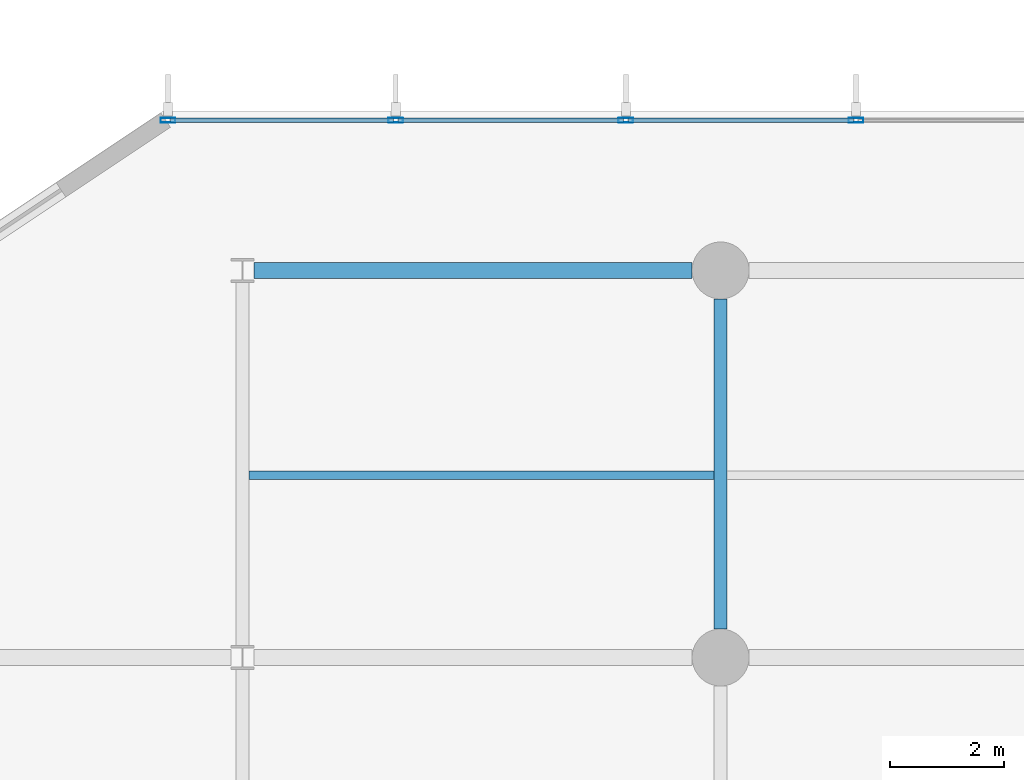
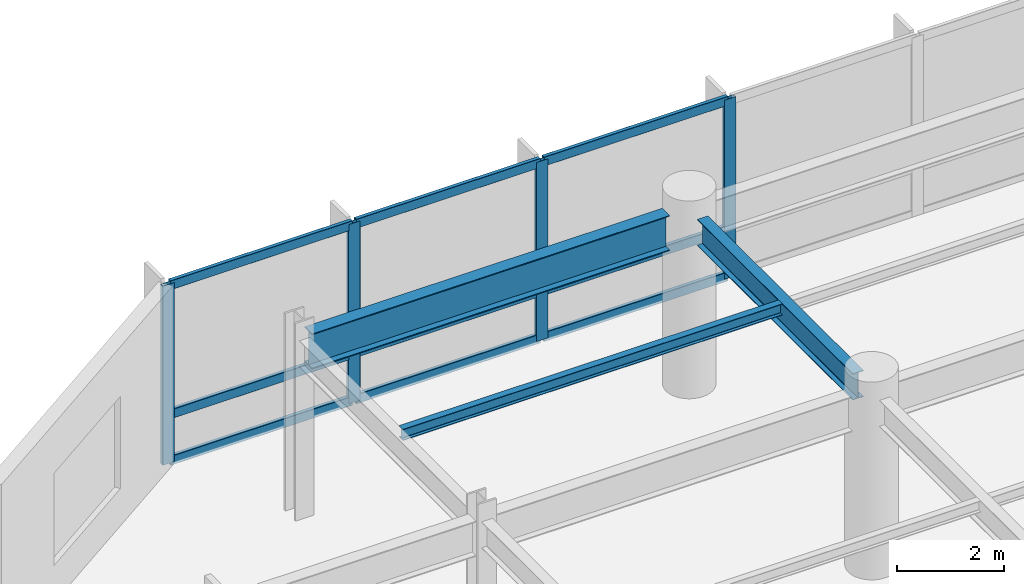
# One storey, part 5 of 23: 13 members, 3 beams, 1 element without a shape of its own.
"""IFC4 building model written with IfcOpenShell, lengths in metres."""

from ifc_helpers import new_model, si_unit, direction, frame, origin, origin_2d, place, context, subcontext, project, spatial, hollow_rectangle, i_section, extrude, material, layer, layer_set, material_profile, profile_set, type_object, element, aggregate, save


model = new_model("IFC4")

# Units and contexts
model_context = context("Model", 3, precision=1e-05, world=origin(), true_north=direction((0.0, 1.0)))
body_context = subcontext(model_context, "Body", "Model", "MODEL_VIEW")
ifc_project = project(units=[si_unit("LENGTHUNIT", "METRE"), si_unit("AREAUNIT", "SQUARE_METRE"), si_unit("VOLUMEUNIT", "CUBIC_METRE"), si_unit("PLANEANGLEUNIT", "RADIAN"), si_unit("MASSUNIT", "GRAM", prefix="KILO")], contexts=[model_context])

# Site, building, storey
site_placement = place(None, origin())
site = spatial("IfcSite", under=ifc_project, at=site_placement, CompositionType="ELEMENT")
building_placement = place(site_placement, origin())
building = spatial("IfcBuilding", under=site, at=building_placement, Name="Varnakote Quay Hospital", CompositionType="ELEMENT")
storey_placement = place(building_placement, frame((0.0, 0.0, 18.0)))
storey = spatial("IfcBuildingStorey", under=building, at=storey_placement, Name="L04", CompositionType="ELEMENT", Elevation=18.0)

# Beams
ifc_material_1 = material(Name="Structural steel AS/NZS 3679.1 Grade 350 L0 (fy 340 MPa)", Category="steel")
ifc_material_profile_1 = material_profile(ifc_material_1, i_section(OverallWidth=0.22802734375, OverallDepth=0.60205078125, WebThickness=0.010498046875, FlangeThickness=0.014892578125, FilletRadius=0.013916015625, at=origin_2d()), Name="610UB101")
ifc_profile_set_1 = profile_set([ifc_material_profile_1], Name="Structural steel AS/NZS 3679.1 Grade 350 L0 (fy 340 MPa)")
beam_type_1 = type_object("IfcBeamType", Name="BM-STL-610UB101", PredefinedType="BEAM", material=ifc_profile_set_1)
beam_1_placement = place(storey_placement, frame((58.800048828125, 37.699951171875, 3.779052734375), z_axis=(0.0, 1.0, 0.0), x_axis=(-1.0, 0.0, 0.0)))
element("IfcBeam", 1, at=beam_1_placement, inside=storey, type_object=beam_type_1, Name="L04 Primary Tie Beam", PredefinedType="BEAM", context=body_context, shape_type="SweptSolid", body=[
    extrude(i_section(OverallWidth=0.22802734375, OverallDepth=0.60205078125, WebThickness=0.010498046875, FlangeThickness=0.014892578125, FilletRadius=0.013916015625, at=origin_2d()), origin(), (0.0, 0.0, 1.0), 5.800048828125),
])
ifc_material_2 = material(Name="Structural steel AS/NZS 3678 Grade 350 (fy 340 MPa)", Category="steel")
ifc_material_profile_2 = material_profile(ifc_material_2, i_section(OverallWidth=0.27490234375, OverallDepth=0.800048828125, WebThickness=0.010009765625, FlangeThickness=0.02001953125, at=origin_2d()), Name="800WB146")
ifc_profile_set_2 = profile_set([ifc_material_profile_2], Name="Structural steel AS/NZS 3678 Grade 350 (fy 340 MPa)")
beam_type_2 = type_object("IfcBeamType", Name="BM-STL-800WB146", PredefinedType="BEAM", material=ifc_profile_set_2)
beam_2_placement = place(storey_placement, frame((50.60009765625, 44.0, 3.679931640625), z_axis=(1.0, 0.0, 0.0), x_axis=(0.0, 1.0, 0.0)))
element("IfcBeam", 2, at=beam_2_placement, inside=storey, type_object=beam_type_2, Name="L04 Plated Composite Transfer Beam", PredefinedType="BEAM", context=body_context, shape_type="SweptSolid", body=[
    extrude(i_section(OverallWidth=0.27490234375, OverallDepth=0.800048828125, WebThickness=0.010009765625, FlangeThickness=0.02001953125, at=origin_2d()), origin(), (0.0, 0.0, 1.0), 7.699951171875),
])

# Curtain wall, members
ifc_material_3 = material(Name="Anodised aluminium 6063-T6 Bronze", Category="aluminium")
ifc_layer = layer(ifc_material_3, 0.175048828125)
ifc_layer_set = layer_set([ifc_layer], Name="Anodised aluminium 6063-T6 Bronze")
curtain_wall_type = type_object("IfcCurtainWallType", Name="CW-SYS-1", PredefinedType="NOTDEFINED", material=ifc_layer_set)
curtain_wall_placement = place(storey_placement, origin())
curtain_wall = element("IfcCurtainWall", 3, at=curtain_wall_placement, inside=storey, type_object=curtain_wall_type, Name="L04 Unitised Bronze Curtain Wall 2", PredefinedType="NOTDEFINED")
ifc_material_4 = material(Name="Anodised aluminium 6063-T6 Bronze", Category="aluminium")
ifc_material_profile_3 = material_profile(ifc_material_4, hollow_rectangle(XDim=0.0849609375, YDim=0.260009765625, WallThickness=0.0048828125, InnerFilletRadius=0.0048828125, OuterFilletRadius=0.010009765625, at=origin_2d()), Name="CW-MULL-260x85")
ifc_profile_set_3 = profile_set([ifc_material_profile_3], Name="Anodised aluminium 6063-T6 Bronze")
member_type_1 = type_object("IfcMemberType", Name="CW-MULL-260x85", PredefinedType="MULLION", material=ifc_profile_set_3)
member_1_placement = place(storey_placement, frame((61.178955078125, 46.639892578125, 0.0), z_axis=(0.0, 0.0, 1.0), x_axis=(0.0, -1.0, 0.0)))
member_1 = element("IfcMember", 4, at=member_1_placement, type_object=member_type_1, Name="-1-L04-2 mullion 7", PredefinedType="MULLION", context=body_context, shape_type="SweptSolid", body=[
    extrude(hollow_rectangle(XDim=0.0849609375, YDim=0.260009765625, WallThickness=0.0048828125, InnerFilletRadius=0.0048828125, OuterFilletRadius=0.010009765625, at=origin_2d()), origin(), (0.0, 0.0, 1.0), 4.080078125),
])
member_2_placement = place(storey_placement, frame((57.135498046875, 46.639892578125, 0.0), z_axis=(0.0, 0.0, 1.0), x_axis=(0.0, -1.0, 0.0)))
member_2 = element("IfcMember", 5, at=member_2_placement, type_object=member_type_1, Name="-1-L04-2 mullion 8", PredefinedType="MULLION", context=body_context, shape_type="SweptSolid", body=[
    extrude(hollow_rectangle(XDim=0.0849609375, YDim=0.260009765625, WallThickness=0.0048828125, InnerFilletRadius=0.0048828125, OuterFilletRadius=0.010009765625, at=origin_2d()), origin(), (0.0, 0.0, 1.0), 4.080078125),
])
member_3_placement = place(storey_placement, frame((53.091796875, 46.639892578125, 0.0), z_axis=(0.0, 0.0, 1.0), x_axis=(0.0, -1.0, 0.0)))
member_3 = element("IfcMember", 6, at=member_3_placement, type_object=member_type_1, Name="-1-L04-2 mullion 9", PredefinedType="MULLION", context=body_context, shape_type="SweptSolid", body=[
    extrude(hollow_rectangle(XDim=0.0849609375, YDim=0.260009765625, WallThickness=0.0048828125, InnerFilletRadius=0.0048828125, OuterFilletRadius=0.010009765625, at=origin_2d()), origin(), (0.0, 0.0, 1.0), 4.080078125),
])
member_4_placement = place(storey_placement, frame((49.0908203125, 46.639892578125, 0.0), z_axis=(0.0, 0.0, 1.0), x_axis=(0.0, -1.0, 0.0)))
member_4 = element("IfcMember", 7, at=member_4_placement, type_object=member_type_1, Name="-1-L04-2 mullion 10", PredefinedType="MULLION", context=body_context, shape_type="SweptSolid", body=[
    extrude(hollow_rectangle(XDim=0.0849609375, YDim=0.260009765625, WallThickness=0.0048828125, InnerFilletRadius=0.0048828125, OuterFilletRadius=0.010009765625, at=origin_2d()), origin(), (0.0, 0.0, 1.0), 4.080078125),
])
ifc_material_5 = material(Name="Anodised aluminium 6063-T6 Bronze", Category="aluminium")
ifc_material_profile_4 = material_profile(ifc_material_5, hollow_rectangle(XDim=0.0849609375, YDim=0.2099609375, WallThickness=0.00439453125, InnerFilletRadius=0.00439453125, OuterFilletRadius=0.009033203125, at=origin_2d()), Name="CW-TRAN-210x85")
ifc_profile_set_4 = profile_set([ifc_material_profile_4], Name="Anodised aluminium 6063-T6 Bronze")
member_type_2 = type_object("IfcMemberType", Name="CW-TRAN-210x85", PredefinedType="USERDEFINED", material=ifc_profile_set_4)
member_5_placement = place(storey_placement, frame((61.136474609375, 46.639892578125, 0.04248046875), z_axis=(-1.0, 0.0, 0.0), x_axis=(0.0, -1.0, 0.0)))
member_5 = element("IfcMember", 8, at=member_5_placement, type_object=member_type_2, Name="-1-L04-2 transom 7.1", ObjectType="TRANSOM", PredefinedType="USERDEFINED", context=body_context, shape_type="SweptSolid", body=[
    extrude(hollow_rectangle(XDim=0.0849609375, YDim=0.2099609375, WallThickness=0.00439453125, InnerFilletRadius=0.00439453125, OuterFilletRadius=0.009033203125, at=origin_2d()), origin(), (0.0, 0.0, 1.0), 3.95849609375),
])
member_6_placement = place(storey_placement, frame((61.136474609375, 46.639892578125, 1.10009765625), z_axis=(-1.0, 0.0, 0.0), x_axis=(0.0, -1.0, 0.0)))
member_6 = element("IfcMember", 9, at=member_6_placement, type_object=member_type_2, Name="-1-L04-2 transom 7.2", ObjectType="TRANSOM", PredefinedType="USERDEFINED", context=body_context, shape_type="SweptSolid", body=[
    extrude(hollow_rectangle(XDim=0.0849609375, YDim=0.2099609375, WallThickness=0.00439453125, InnerFilletRadius=0.00439453125, OuterFilletRadius=0.009033203125, at=origin_2d()), origin(), (0.0, 0.0, 1.0), 3.95849609375),
])
member_7_placement = place(storey_placement, frame((61.136474609375, 46.639892578125, 4.03759765625), z_axis=(-1.0, 0.0, 0.0), x_axis=(0.0, -1.0, 0.0)))
member_7 = element("IfcMember", 10, at=member_7_placement, type_object=member_type_2, Name="-1-L04-2 transom 7.3", ObjectType="TRANSOM", PredefinedType="USERDEFINED", context=body_context, shape_type="SweptSolid", body=[
    extrude(hollow_rectangle(XDim=0.0849609375, YDim=0.2099609375, WallThickness=0.00439453125, InnerFilletRadius=0.00439453125, OuterFilletRadius=0.009033203125, at=origin_2d()), origin(), (0.0, 0.0, 1.0), 3.95849609375),
])
member_8_placement = place(storey_placement, frame((57.093017578125, 46.639892578125, 0.04248046875), z_axis=(-1.0, 0.0, 0.0), x_axis=(0.0, -1.0, 0.0)))
member_8 = element("IfcMember", 11, at=member_8_placement, type_object=member_type_2, Name="-1-L04-2 transom 8.1", ObjectType="TRANSOM", PredefinedType="USERDEFINED", context=body_context, shape_type="SweptSolid", body=[
    extrude(hollow_rectangle(XDim=0.0849609375, YDim=0.2099609375, WallThickness=0.00439453125, InnerFilletRadius=0.00439453125, OuterFilletRadius=0.009033203125, at=origin_2d()), origin(), (0.0, 0.0, 1.0), 3.95849609375),
])
member_9_placement = place(storey_placement, frame((57.093017578125, 46.639892578125, 1.10009765625), z_axis=(-1.0, 0.0, 0.0), x_axis=(0.0, -1.0, 0.0)))
member_9 = element("IfcMember", 12, at=member_9_placement, type_object=member_type_2, Name="-1-L04-2 transom 8.2", ObjectType="TRANSOM", PredefinedType="USERDEFINED", context=body_context, shape_type="SweptSolid", body=[
    extrude(hollow_rectangle(XDim=0.0849609375, YDim=0.2099609375, WallThickness=0.00439453125, InnerFilletRadius=0.00439453125, OuterFilletRadius=0.009033203125, at=origin_2d()), origin(), (0.0, 0.0, 1.0), 3.95849609375),
])
member_10_placement = place(storey_placement, frame((57.093017578125, 46.639892578125, 4.03759765625), z_axis=(-1.0, 0.0, 0.0), x_axis=(0.0, -1.0, 0.0)))
member_10 = element("IfcMember", 13, at=member_10_placement, type_object=member_type_2, Name="-1-L04-2 transom 8.3", ObjectType="TRANSOM", PredefinedType="USERDEFINED", context=body_context, shape_type="SweptSolid", body=[
    extrude(hollow_rectangle(XDim=0.0849609375, YDim=0.2099609375, WallThickness=0.00439453125, InnerFilletRadius=0.00439453125, OuterFilletRadius=0.009033203125, at=origin_2d()), origin(), (0.0, 0.0, 1.0), 3.95849609375),
])
member_11_placement = place(storey_placement, frame((53.04931640625, 46.639892578125, 0.04248046875), z_axis=(-1.0, 0.0, 0.0), x_axis=(0.0, -1.0, 0.0)))
member_11 = element("IfcMember", 14, at=member_11_placement, type_object=member_type_2, Name="-1-L04-2 transom 9.1", ObjectType="TRANSOM", PredefinedType="USERDEFINED", context=body_context, shape_type="SweptSolid", body=[
    extrude(hollow_rectangle(XDim=0.0849609375, YDim=0.2099609375, WallThickness=0.00439453125, InnerFilletRadius=0.00439453125, OuterFilletRadius=0.009033203125, at=origin_2d()), origin(), (0.0, 0.0, 1.0), 3.916015625),
])
member_12_placement = place(storey_placement, frame((53.04931640625, 46.639892578125, 1.10009765625), z_axis=(-1.0, 0.0, 0.0), x_axis=(0.0, -1.0, 0.0)))
member_12 = element("IfcMember", 15, at=member_12_placement, type_object=member_type_2, Name="-1-L04-2 transom 9.2", ObjectType="TRANSOM", PredefinedType="USERDEFINED", context=body_context, shape_type="SweptSolid", body=[
    extrude(hollow_rectangle(XDim=0.0849609375, YDim=0.2099609375, WallThickness=0.00439453125, InnerFilletRadius=0.00439453125, OuterFilletRadius=0.009033203125, at=origin_2d()), origin(), (0.0, 0.0, 1.0), 3.916015625),
])
member_13_placement = place(storey_placement, frame((53.04931640625, 46.639892578125, 4.03759765625), z_axis=(-1.0, 0.0, 0.0), x_axis=(0.0, -1.0, 0.0)))
member_13 = element("IfcMember", 16, at=member_13_placement, type_object=member_type_2, Name="-1-L04-2 transom 9.3", ObjectType="TRANSOM", PredefinedType="USERDEFINED", context=body_context, shape_type="SweptSolid", body=[
    extrude(hollow_rectangle(XDim=0.0849609375, YDim=0.2099609375, WallThickness=0.00439453125, InnerFilletRadius=0.00439453125, OuterFilletRadius=0.009033203125, at=origin_2d()), origin(), (0.0, 0.0, 1.0), 3.916015625),
])
aggregate(curtain_wall, [member_1, member_2, member_3, member_4, member_5, member_6, member_7, member_8, member_9, member_10, member_11, member_12, member_13])

# Beam
ifc_material_6 = material(Name="Structural steel AS/NZS 3679.1 Grade 350 L0 (fy 340 MPa)", Category="steel")
ifc_material_profile_5 = material_profile(ifc_material_6, i_section(OverallWidth=0.14599609375, OverallDepth=0.256103515625, WebThickness=0.00634765625, FlangeThickness=0.010986328125, FilletRadius=0.0087890625, at=origin_2d()), Name="250UB37.3")
ifc_profile_set_5 = profile_set([ifc_material_profile_5], Name="Structural steel AS/NZS 3679.1 Grade 350 L0 (fy 340 MPa)")
beam_type_3 = type_object("IfcBeamType", Name="JST-STL-250UB37-3", PredefinedType="JOIST", material=ifc_profile_set_5)
beam_3_placement = place(storey_placement, frame((50.513916015625, 40.39990234375, 3.951904296875), z_axis=(1.0, 0.0, 0.0), x_axis=(0.0, 1.0, 0.0)))
element("IfcBeam", 17, at=beam_3_placement, inside=storey, type_object=beam_type_3, Name="L04 Composite Floor Joist", PredefinedType="JOIST", context=body_context, shape_type="SweptSolid", body=[
    extrude(i_section(OverallWidth=0.14599609375, OverallDepth=0.256103515625, WebThickness=0.00634765625, FlangeThickness=0.010986328125, FilletRadius=0.0087890625, at=origin_2d()), origin(), (0.0, 0.0, 1.0), 8.172119140625),
])

save(model, "model.ifc")
